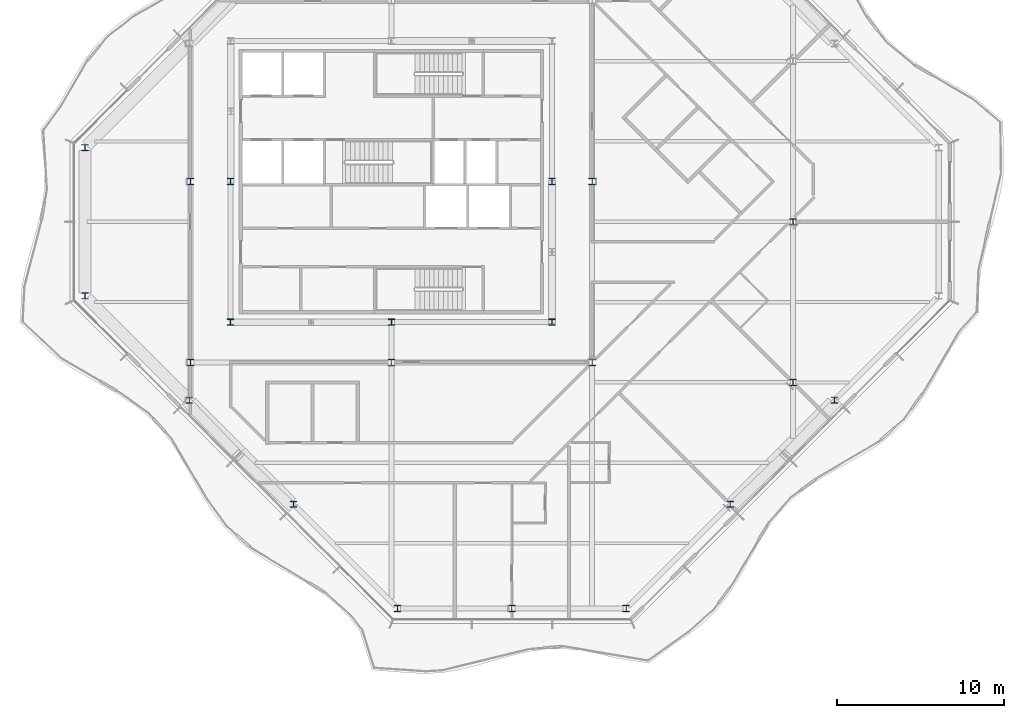
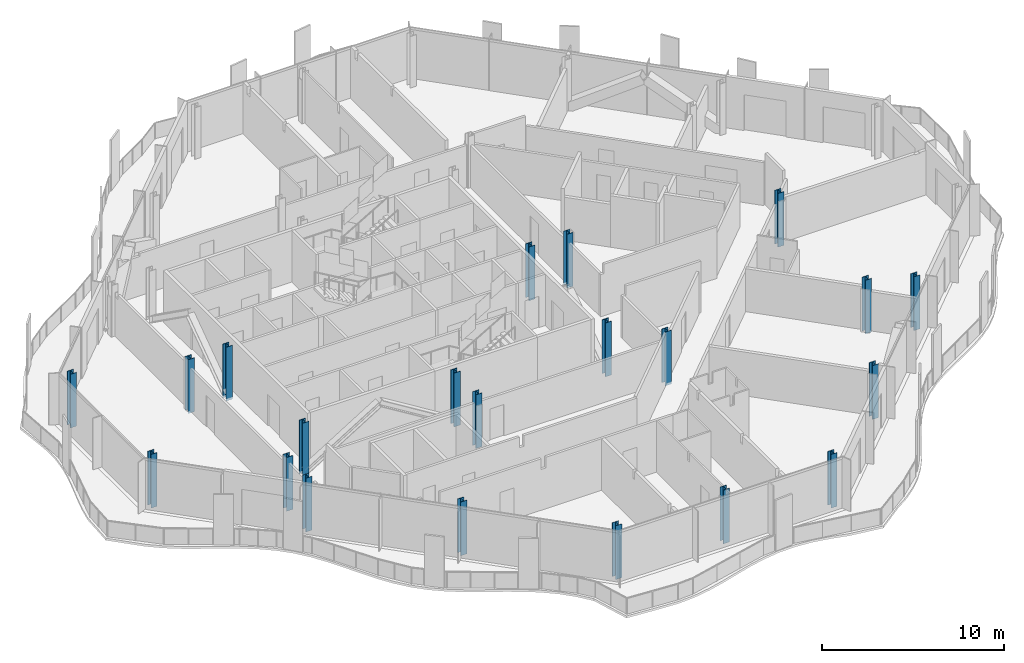
# One storey, part 1 of 16: 21 columns.
"""IFC4 building model written with IfcOpenShell, lengths in metres."""

from ifc_helpers import new_model, si_unit, direction, frame, origin, origin_2d, place, context, subcontext, project, spatial, i_section, extrude, material, material_profile, profile_set, type_object, element, save


model = new_model("IFC4")

# Units and contexts
model_context = context("Model", 3, precision=1e-05, world=origin(), true_north=direction((0.0, 1.0)))
body_context = subcontext(model_context, "Body", "Model", "MODEL_VIEW")
ifc_project = project(units=[si_unit("LENGTHUNIT", "METRE"), si_unit("AREAUNIT", "SQUARE_METRE"), si_unit("VOLUMEUNIT", "CUBIC_METRE"), si_unit("PLANEANGLEUNIT", "RADIAN"), si_unit("MASSUNIT", "GRAM", prefix="KILO")], contexts=[model_context])

# Site, building, storey
site_placement = place(None, origin())
site = spatial("IfcSite", under=ifc_project, at=site_placement, CompositionType="ELEMENT")
building_placement = place(site_placement, origin())
building = spatial("IfcBuilding", under=site, at=building_placement, Name="Cairn Pilgrim Tower", CompositionType="ELEMENT")
storey_placement = place(building_placement, frame((0.0, 0.0, 285.0)))
storey = spatial("IfcBuildingStorey", under=building, at=storey_placement, Name="L73", CompositionType="ELEMENT", Elevation=285.0)

# Columns
ifc_material = material(Name="Structural steel S355J2", Category="steel")
ifc_material_profile_1 = material_profile(ifc_material, i_section(OverallWidth=0.39111328125, OverallDepth=0.367919921875, WebThickness=0.014892578125, FlangeThickness=0.02392578125, FilletRadius=0.014892578125, at=origin_2d()), Name="HD 400x187")
ifc_profile_set_1 = profile_set([ifc_material_profile_1], Name="Structural steel S355J2")
column_type_1 = type_object("IfcColumnType", Name="HD 400x187", PredefinedType="COLUMN", material=ifc_profile_set_1)
for number, where, z_axis, x_axis, name in (
    (1, (7.57275390625, -23.10009765625, -0.14990234375), (0.0, 0.0, 1.0), (1.0, 0.0, 0.0), "PC4-S1"),
    (2, (14.39990234375, -23.10009765625, -0.14990234375), (0.0, 0.0, 1.0), (1.0, 0.0, 0.0), "PC4-S2"),
    (3, (21.227294921875, -23.10009765625, -0.14990234375), (0.0, 0.0, 1.0), (1.0, 0.0, 0.0), "PC4-SE1"),
    (4, (27.451416015625, -16.875732421875, -0.14990234375), (0.0, 0.0, 1.0), (1.0, 0.0, 0.0), "PC4-SE2"),
    (5, (33.67578125, -10.651611328125, -0.14990234375), (0.0, 0.0, 1.0), (1.0, 0.0, 0.0), "PC4-SE3"),
    (6, (-11.10009765625, 4.42724609375, -0.14990234375), (0.0, 0.0, 1.0), (1.0, 0.0, 0.0), "PC4-W1"),
    (7, (-11.10009765625, -4.42724609375, -0.14990234375), (0.0, 0.0, 1.0), (1.0, 0.0, 0.0), "PC4-SW1"),
    (8, (-4.875732421875, -10.651611328125, -0.14990234375), (0.0, 0.0, 1.0), (1.0, 0.0, 0.0), "PC4-SW2"),
    (9, (1.348388671875, -16.875732421875, -0.14990234375), (0.0, 0.0, 1.0), (1.0, 0.0, 0.0), "PC4-SW3"),
):
    element("IfcColumn", number, at=place(storey_placement, frame(where, z_axis=z_axis, x_axis=x_axis)), inside=storey, type_object=column_type_1, Name=name, PredefinedType="COLUMN", context=body_context, shape_type="SweptSolid", body=[
        extrude(i_section(OverallWidth=0.39111328125, OverallDepth=0.367919921875, WebThickness=0.014892578125, FlangeThickness=0.02392578125, FilletRadius=0.014892578125, at=origin_2d()), origin(), (0.0, 0.0, 1.0), 3.599853515625),
    ])
ifc_material_profile_2 = material_profile(ifc_material, i_section(OverallWidth=0.39404296875, OverallDepth=0.375, WebThickness=0.017333984375, FlangeThickness=0.027587890625, FilletRadius=0.014892578125, at=origin_2d()), Name="HD 400x216")
ifc_profile_set_2 = profile_set([ifc_material_profile_2], Name="Structural steel S355J2")
column_type_2 = type_object("IfcColumnType", Name="HD 400x216", PredefinedType="COLUMN", material=ifc_profile_set_2)
for number, where, z_axis, x_axis, name in (
    (10, (-4.800048828125, -8.39990234375, -0.14990234375), (0.0, 0.0, 1.0), (1.0, 0.0, 0.0), "IC-1"),
    (11, (7.199951171875, -8.39990234375, -0.14990234375), (0.0, 0.0, 1.0), (1.0, 0.0, 0.0), "IC-2"),
    (12, (19.199951171875, -8.39990234375, -0.14990234375), (0.0, 0.0, 1.0), (1.0, 0.0, 0.0), "IC-3"),
    (13, (-4.800048828125, 2.39990234375, -0.14990234375), (0.0, 0.0, 1.0), (1.0, 0.0, 0.0), "IC-4"),
    (14, (19.199951171875, 2.39990234375, -0.14990234375), (0.0, 0.0, 1.0), (1.0, 0.0, 0.0), "IC-5"),
    (15, (31.199951171875, -9.60009765625, -0.14990234375), (0.0, 0.0, 1.0), (1.0, 0.0, 0.0), "WC-WE-2"),
    (16, (31.199951171875, 0.0, -0.14990234375), (0.0, 0.0, 1.0), (1.0, 0.0, 0.0), "WC-WE+0"),
):
    element("IfcColumn", number, at=place(storey_placement, frame(where, z_axis=z_axis, x_axis=x_axis)), inside=storey, type_object=column_type_2, Name=name, PredefinedType="COLUMN", context=body_context, shape_type="SweptSolid", body=[
        extrude(i_section(OverallWidth=0.39404296875, OverallDepth=0.375, WebThickness=0.017333984375, FlangeThickness=0.027587890625, FilletRadius=0.014892578125, at=origin_2d()), origin(), (0.0, 0.0, 1.0), 3.599853515625),
    ])
ifc_material_profile_3 = material_profile(ifc_material, i_section(OverallWidth=0.39794921875, OverallDepth=0.386962890625, WebThickness=0.02099609375, FlangeThickness=0.033203125, FilletRadius=0.014892578125, at=origin_2d()), Name="HD 400x262")
ifc_profile_set_3 = profile_set([ifc_material_profile_3], Name="Structural steel S355J2")
column_type_3 = type_object("IfcColumnType", Name="HD 400x262", PredefinedType="COLUMN", material=ifc_profile_set_3)
for number, where, z_axis, x_axis, name in (
    (17, (-2.39990234375, -6.0, -0.14990234375), (0.0, 0.0, 1.0), (1.0, 0.0, 0.0), "KC-1"),
    (18, (7.199951171875, -6.0, -0.14990234375), (0.0, 0.0, 1.0), (1.0, 0.0, 0.0), "KC-2"),
    (19, (16.800048828125, -6.0, -0.14990234375), (0.0, 0.0, 1.0), (1.0, 0.0, 0.0), "KC-3"),
    (20, (-2.39990234375, 2.39990234375, -0.14990234375), (0.0, 0.0, 1.0), (1.0, 0.0, 0.0), "KC-4"),
    (21, (16.800048828125, 2.39990234375, -0.14990234375), (0.0, 0.0, 1.0), (1.0, 0.0, 0.0), "KC-5"),
):
    element("IfcColumn", number, at=place(storey_placement, frame(where, z_axis=z_axis, x_axis=x_axis)), inside=storey, type_object=column_type_3, Name=name, PredefinedType="COLUMN", context=body_context, shape_type="SweptSolid", body=[
        extrude(i_section(OverallWidth=0.39794921875, OverallDepth=0.386962890625, WebThickness=0.02099609375, FlangeThickness=0.033203125, FilletRadius=0.014892578125, at=origin_2d()), origin(), (0.0, 0.0, 1.0), 3.599853515625),
    ])

save(model, "model.ifc")
